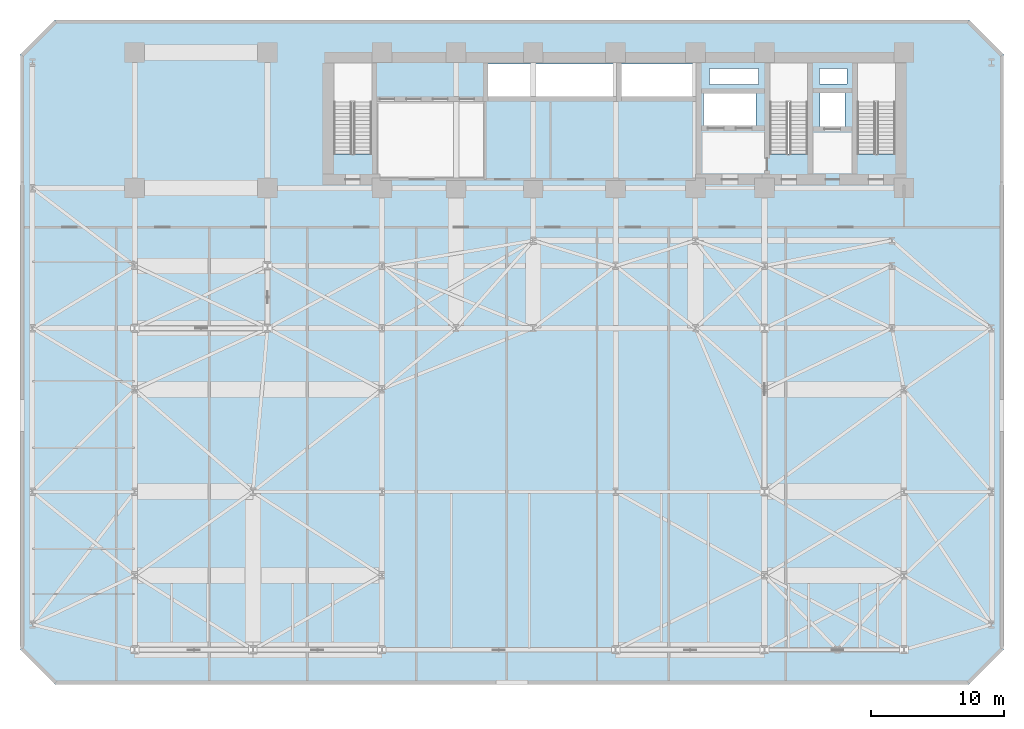
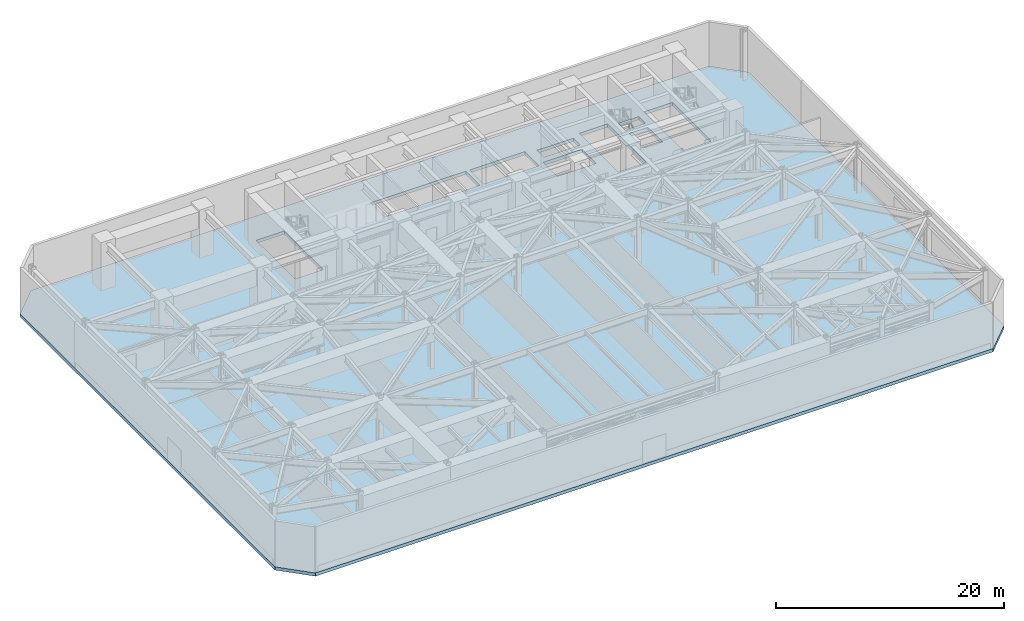
# One storey, part 5 of 14: 1 slab.
"""IFC4 building model written with IfcOpenShell, lengths in metres."""

from ifc_helpers import new_model, si_unit, direction, frame, origin, place, context, subcontext, project, spatial, polyline, outline, extrude, material, layer, layer_set, type_object, element, save


model = new_model("IFC4")

# Units and contexts
model_context = context("Model", 3, precision=1e-05, world=origin(), true_north=direction((0.0, 1.0)))
body_context = subcontext(model_context, "Body", "Model", "MODEL_VIEW")
ifc_project = project(units=[si_unit("LENGTHUNIT", "METRE"), si_unit("AREAUNIT", "SQUARE_METRE"), si_unit("VOLUMEUNIT", "CUBIC_METRE"), si_unit("PLANEANGLEUNIT", "RADIAN"), si_unit("MASSUNIT", "GRAM", prefix="KILO")], contexts=[model_context])

# Site, building, storey
site_placement = place(None, origin())
site = spatial("IfcSite", under=ifc_project, at=site_placement, CompositionType="ELEMENT")
building_placement = place(site_placement, origin())
building = spatial("IfcBuilding", under=site, at=building_placement, Name="Kravanh Interchange Tower", CompositionType="ELEMENT")
storey_placement = place(building_placement, frame((0.0, 0.0, 24.300048828125)))
storey = spatial("IfcBuildingStorey", under=building, at=storey_placement, Name="L05", CompositionType="ELEMENT", Elevation=24.300048828125)

# Slab
ifc_material = material(Name="Concrete C60/75", Category="concrete")
ifc_layer = layer(ifc_material, 0.35009765625)
ifc_layer_set = layer_set([ifc_layer], Name="Composite Floor Slab Concrete C60/75 350mm")
slab_type = type_object("IfcSlabType", Name="Composite Floor Slab Concrete C60/75 350mm", PredefinedType="FLOOR", material=ifc_layer_set)
slab_placement = place(storey_placement, frame((0.0, 0.0, -0.35009765625)))
element("IfcSlab", 1, at=slab_placement, inside=storey, type_object=slab_type, Name="L05 Structural Floor Slab", PredefinedType="FLOOR", context=body_context, shape_type="SweptSolid", body=[
    extrude(outline(polyline([(0.0, 2.60009765625), (2.60009765625, 0.0), (71.39990234375, 0.0), (74.0, 2.60009765625), (74.0, 47.39990234375), (71.39990234375, 50.0), (2.60009765625, 50.0), (0.0, 47.39990234375), (0.0, 2.60009765625)]), holes=[polyline([(65.85009765625, 39.925048828125), (65.85009765625, 46.75), (63.0, 46.75), (63.0, 39.925048828125), (65.85009765625, 39.925048828125)]), polyline([(59.25, 39.925048828125), (59.25, 46.75), (56.39990234375, 46.75), (56.39990234375, 39.925048828125), (59.25, 39.925048828125)]), polyline([(26.449951171875, 39.925048828125), (26.449951171875, 46.75), (23.60009765625, 46.75), (23.60009765625, 39.925048828125), (26.449951171875, 39.925048828125)]), polyline([(35.179931640625, 44.219970703125), (44.840087890625, 44.219970703125), (44.840087890625, 46.699951171875), (35.179931640625, 46.699951171875), (35.179931640625, 44.219970703125)]), polyline([(45.239990234375, 44.219970703125), (50.840087890625, 44.219970703125), (50.840087890625, 46.699951171875), (45.239990234375, 46.699951171875), (45.239990234375, 44.219970703125)]), polyline([(51.419921875, 42.02001953125), (55.3798828125, 42.02001953125), (55.3798828125, 44.47998046875), (51.419921875, 44.47998046875), (51.419921875, 42.02001953125)]), polyline([(60.179931640625, 41.97998046875), (62.06005859375, 41.97998046875), (62.06005859375, 44.52001953125), (60.179931640625, 44.52001953125), (60.179931640625, 41.97998046875)]), polyline([(60.14990234375, 45.199951171875), (62.199951171875, 45.199951171875), (62.199951171875, 46.35009765625), (60.14990234375, 46.35009765625), (60.14990234375, 45.199951171875)]), polyline([(51.85009765625, 45.14990234375), (55.550048828125, 45.14990234375), (55.550048828125, 46.35009765625), (51.85009765625, 46.35009765625), (51.85009765625, 45.14990234375)])]), origin(), (0.0, 0.0, 1.0), 0.35009765625),
])

save(model, "model.ifc")
